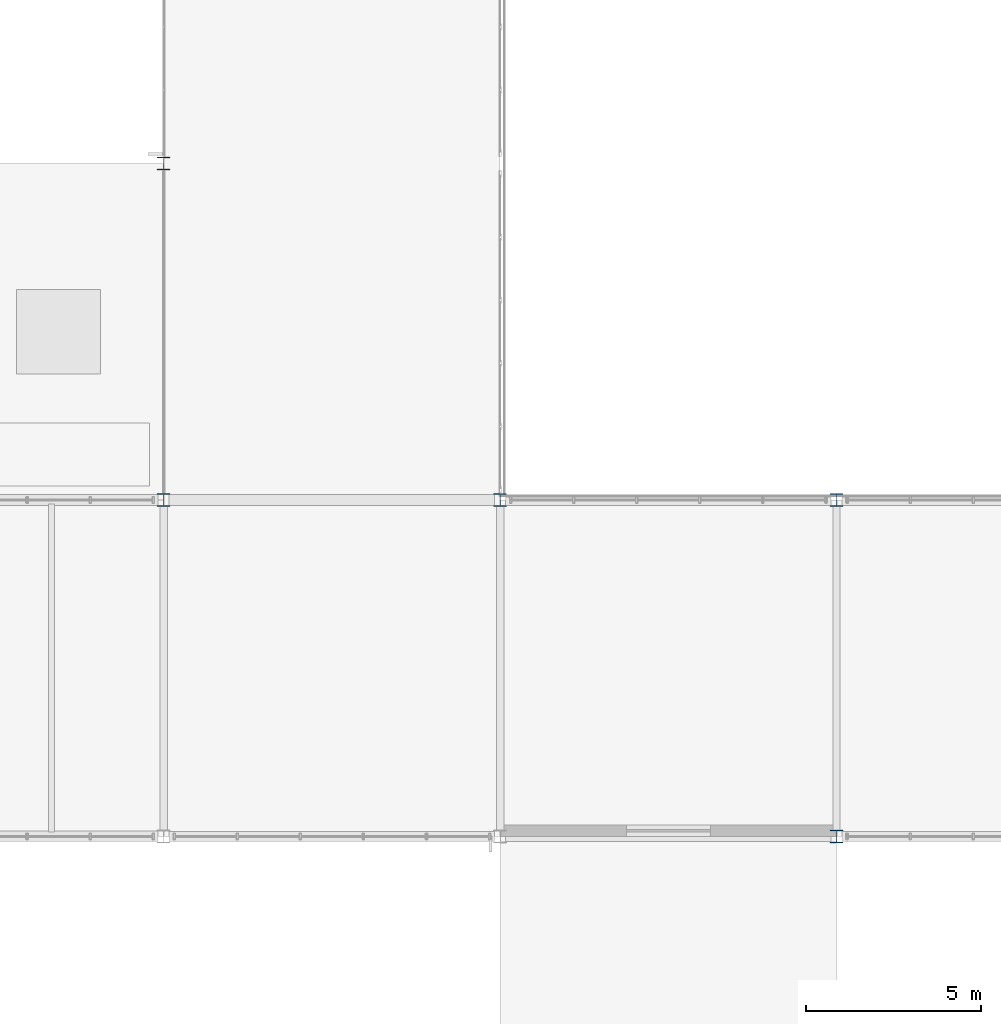
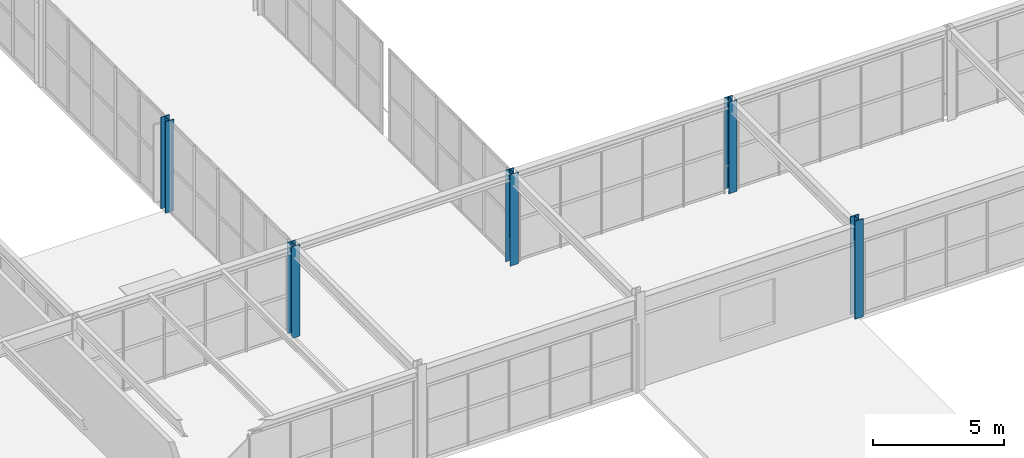
# One storey, part 4 of 170: 5 columns.
"""IFC4 building model written with IfcOpenShell, lengths in metres."""

from ifc_helpers import new_model, si_unit, direction, frame, origin, origin_2d, place, context, subcontext, project, spatial, i_section, extrude, material, material_profile, profile_set, type_object, element, save


model = new_model("IFC4")

# Units and contexts
model_context = context("Model", 3, precision=1e-05, world=origin(), true_north=direction((0.0, 1.0)))
body_context = subcontext(model_context, "Body", "Model", "MODEL_VIEW")
ifc_project = project(units=[si_unit("LENGTHUNIT", "METRE"), si_unit("AREAUNIT", "SQUARE_METRE"), si_unit("VOLUMEUNIT", "CUBIC_METRE"), si_unit("PLANEANGLEUNIT", "RADIAN"), si_unit("MASSUNIT", "GRAM", prefix="KILO")], contexts=[model_context])

# Site, building, storey
site_placement = place(None, origin())
site = spatial("IfcSite", under=ifc_project, at=site_placement, CompositionType="ELEMENT")
building_placement = place(site_placement, origin())
building = spatial("IfcBuilding", under=site, at=building_placement, Name="Coralgate Yard Interchange", CompositionType="ELEMENT")
storey_placement = place(building_placement, frame((0.0, 0.0, 6.0)))
storey = spatial("IfcBuildingStorey", under=building, at=storey_placement, Name="L01", CompositionType="ELEMENT", Elevation=6.0)

# Columns
ifc_material = material(Name="Structural steel S355J2", Category="steel")
ifc_material_profile = material_profile(ifc_material, i_section(OverallWidth=0.37255859375, OverallDepth=0.3681640625, WebThickness=0.014404296875, FlangeThickness=0.023681640625, FilletRadius=0.01513671875, at=origin_2d()), Name="UC 356x368x177")
ifc_profile_set = profile_set([ifc_material_profile], Name="Structural steel S355J2")
column_type = type_object("IfcColumnType", Name="COL-SC-3", PredefinedType="COLUMN", material=ifc_profile_set)
for number, where, z_axis, x_axis, name in (
    (1, (38.39990234375, 48.0, 0.0), (0.0, 0.0, 1.0), (1.0, 0.0, 0.0), "L01 structural column 4-5"),
    (2, (38.39990234375, 57.60009765625, 0.0), (0.0, 0.0, 1.0), (1.0, 0.0, 0.0), "L01 structural column 4-6"),
    (3, (48.0, 48.0, 0.0), (0.0, 0.0, 1.0), (1.0, 0.0, 0.0), "L01 structural column 5-5"),
):
    element("IfcColumn", number, at=place(storey_placement, frame(where, z_axis=z_axis, x_axis=x_axis)), inside=storey, type_object=column_type, Name=name, PredefinedType="COLUMN", context=body_context, shape_type="SweptSolid", body=[
        extrude(i_section(OverallWidth=0.37255859375, OverallDepth=0.3681640625, WebThickness=0.014404296875, FlangeThickness=0.023681640625, FilletRadius=0.01513671875, at=origin_2d()), origin(), (0.0, 0.0, 1.0), 4.25),
    ])
column_1_placement = place(storey_placement, frame((57.60009765625, 38.39990234375, 0.0), z_axis=(0.0, 0.0, 1.0), x_axis=(1.0, 0.0, 0.0)))
element("IfcColumn", 4, at=column_1_placement, inside=storey, type_object=column_type, Name="L01 structural column 6-4", PredefinedType="COLUMN", context=body_context, shape_type="SweptSolid", body=[
    extrude(i_section(OverallWidth=0.37255859375, OverallDepth=0.3681640625, WebThickness=0.014404296875, FlangeThickness=0.023681640625, FilletRadius=0.01513671875, at=origin_2d()), origin(), (0.0, 0.0, 1.0), 4.550048828125),
])
column_2_placement = place(storey_placement, frame((57.60009765625, 48.0, 0.0), z_axis=(0.0, 0.0, 1.0), x_axis=(1.0, 0.0, 0.0)))
element("IfcColumn", 5, at=column_2_placement, inside=storey, type_object=column_type, Name="L01 structural column 6-5", PredefinedType="COLUMN", context=body_context, shape_type="SweptSolid", body=[
    extrude(i_section(OverallWidth=0.37255859375, OverallDepth=0.3681640625, WebThickness=0.014404296875, FlangeThickness=0.023681640625, FilletRadius=0.01513671875, at=origin_2d()), origin(), (0.0, 0.0, 1.0), 4.25),
])

save(model, "model.ifc")
